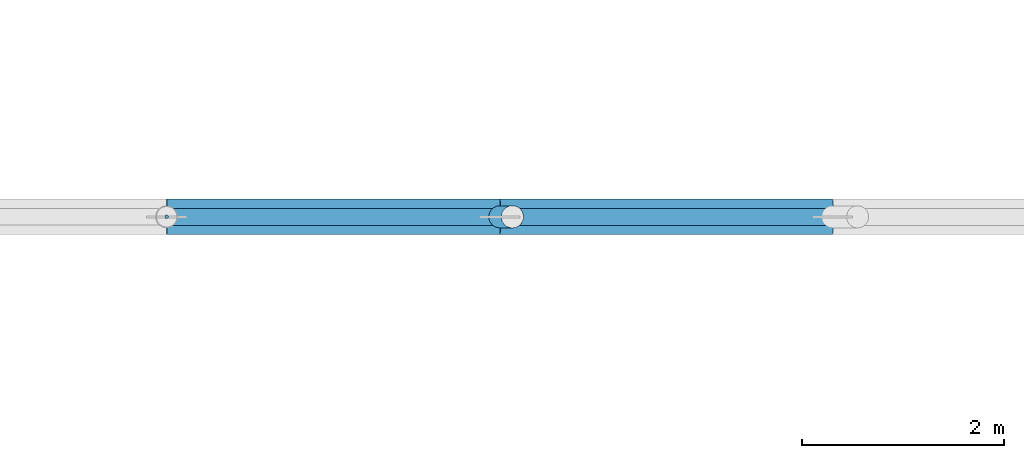
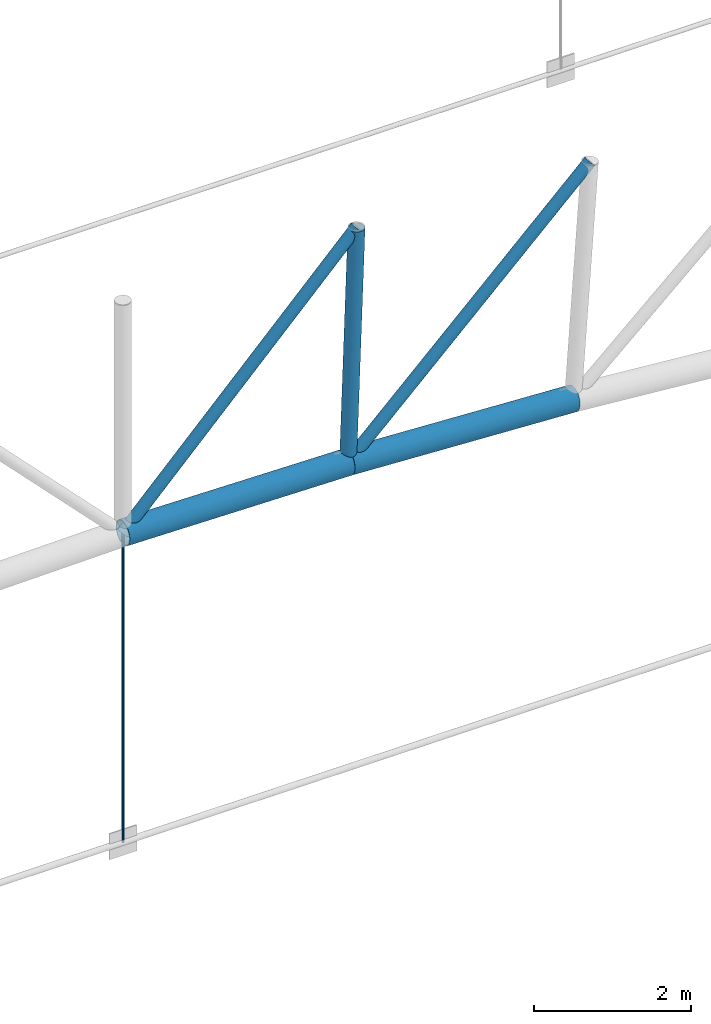
# One storey, part 72 of 321: 6 members.
"""IFC4 building model written with IfcOpenShell, lengths in metres."""

from ifc_helpers import new_model, si_unit, direction, frame, origin, origin_2d, place, context, subcontext, project, spatial, circle, hollow_circle, extrude, material, material_profile, profile_set, type_object, element, save


model = new_model("IFC4")

# Units and contexts
model_context = context("Model", 3, precision=1e-05, world=origin(), true_north=direction((0.0, 1.0)))
body_context = subcontext(model_context, "Body", "Model", "MODEL_VIEW")
ifc_project = project(units=[si_unit("LENGTHUNIT", "METRE"), si_unit("AREAUNIT", "SQUARE_METRE"), si_unit("VOLUMEUNIT", "CUBIC_METRE"), si_unit("PLANEANGLEUNIT", "RADIAN"), si_unit("MASSUNIT", "GRAM", prefix="KILO")], contexts=[model_context])

# Site, building, storey
site_placement = place(None, origin())
site = spatial("IfcSite", under=ifc_project, at=site_placement, CompositionType="ELEMENT")
building_placement = place(site_placement, origin())
building = spatial("IfcBuilding", under=site, at=building_placement, Name="Ravi Spectrum Wholesale Market", CompositionType="ELEMENT")
storey_placement = place(building_placement, frame((0.0, 0.0, 10.800048828125)))
storey = spatial("IfcBuildingStorey", under=building, at=storey_placement, Name="L02", CompositionType="ELEMENT", Elevation=10.800048828125)

# Members
ifc_material_1 = material(Name="Steel S355", Category="steel")
ifc_material_profile_1 = material_profile(ifc_material_1, hollow_circle(Radius=0.084228515625, WallThickness=0.00634765625, at=origin_2d()))
ifc_profile_set_1 = profile_set([ifc_material_profile_1], Name="Steel S355")
member_type_1 = type_object("IfcMemberType", Name="CHS 168.3x6.3 brace", PredefinedType="BRACE", material=ifc_profile_set_1)
for number, where, z_axis, x_axis, name in (
    (1, (73.4296875, 102.0, 8.3408203125), (-0.695749704847, 0.0, -0.718284308756), (0.0, -1.0, 0.0), "H1-MB-L02-569"),
    (2, (76.85546875, 102.0, 8.163330078125), (-0.7201093859, 0.0, -0.69386055684), (0.0, -1.0, 0.0), "H1-MB-L02-570"),
):
    element("IfcMember", number, at=place(storey_placement, frame(where, z_axis=z_axis, x_axis=x_axis)), inside=storey, type_object=member_type_1, Name=name, PredefinedType="BRACE", context=body_context, shape_type="SweptSolid", body=[
        extrude(hollow_circle(Radius=0.084228515625, WallThickness=0.00634765625, at=origin_2d()), origin(), (0.0, 0.0, 1.0), 4.929443359375),
    ])
ifc_material_2 = material(Name="Steel S355", Category="steel")
ifc_material_profile_2 = material_profile(ifc_material_2, hollow_circle(Radius=0.109619140625, WallThickness=0.008056640625, at=origin_2d()))
ifc_profile_set_2 = profile_set([ifc_material_profile_2], Name="Steel S355")
member_type_2 = type_object("IfcMemberType", Name="CHS 219.1x8 post", PredefinedType="POST", material=ifc_profile_set_2)
member_1_placement = place(storey_placement, frame((73.4296875, 102.0, 8.3408203125), z_axis=(-0.034450597287, 0.0, -0.999406401994), x_axis=(0.0, -1.0, 0.0)))
element("IfcMember", 3, at=member_1_placement, inside=storey, type_object=member_type_2, Name="H1-MB-L02-547", PredefinedType="POST", context=body_context, shape_type="SweptSolid", body=[
    extrude(hollow_circle(Radius=0.109619140625, WallThickness=0.008056640625, at=origin_2d()), origin(), (0.0, 0.0, 1.0), 3.60009765625),
])
ifc_material_3 = material(Name="Steel S355", Category="steel")
ifc_material_profile_3 = material_profile(ifc_material_3, hollow_circle(Radius=0.177734375, WallThickness=0.012451171875, at=origin_2d()))
ifc_profile_set_3 = profile_set([ifc_material_profile_3], Name="Steel S355")
member_type_3 = type_object("IfcMemberType", Name="CHS 355.6x12.5 chord", PredefinedType="CHORD", material=ifc_profile_set_3)
for number, where, z_axis, x_axis, name in (
    (4, (70.0, 102.0, 4.800048828125), (0.999850697486, 0.0, -0.017279546766), (0.0, 1.0, 0.0), "H1-MB-L02-523"),
    (5, (73.3056640625, 102.0, 4.742919921875), (0.99866314533, 0.0, -0.051690638992), (0.0, 1.0, 0.0), "H1-MB-L02-524"),
):
    element("IfcMember", number, at=place(storey_placement, frame(where, z_axis=z_axis, x_axis=x_axis)), inside=storey, type_object=member_type_3, Name=name, PredefinedType="CHORD", context=body_context, shape_type="SweptSolid", body=[
        extrude(hollow_circle(Radius=0.177734375, WallThickness=0.012451171875, at=origin_2d()), origin(), (0.0, 0.0, 1.0), 3.30615234375),
    ])
ifc_material_4 = material(Name="Steel S355", Category="steel")
ifc_material_profile_4 = material_profile(ifc_material_4, circle(Radius=0.01806640625, at=origin_2d()))
ifc_profile_set_4 = profile_set([ifc_material_profile_4], Name="Steel S355")
member_type_4 = type_object("IfcMemberType", Name="ROD 36 hanger", PredefinedType="STRUT", material=ifc_profile_set_4)
member_2_placement = place(storey_placement, frame((70.0, 102.0, 0.0), z_axis=(0.0, 0.0, 1.0), x_axis=(1.0, 0.0, 0.0)))
element("IfcMember", 6, at=member_2_placement, inside=storey, type_object=member_type_4, Name="H1-MB-L02-583", PredefinedType="STRUT", context=body_context, shape_type="SweptSolid", body=[
    extrude(circle(Radius=0.01806640625, at=origin_2d()), origin(), (0.0, 0.0, 1.0), 4.800048828125),
])

save(model, "model.ifc")
